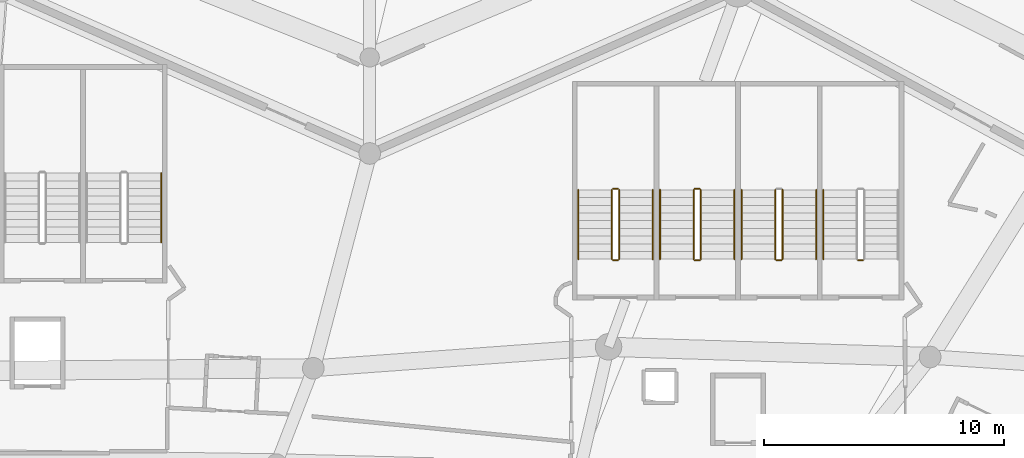
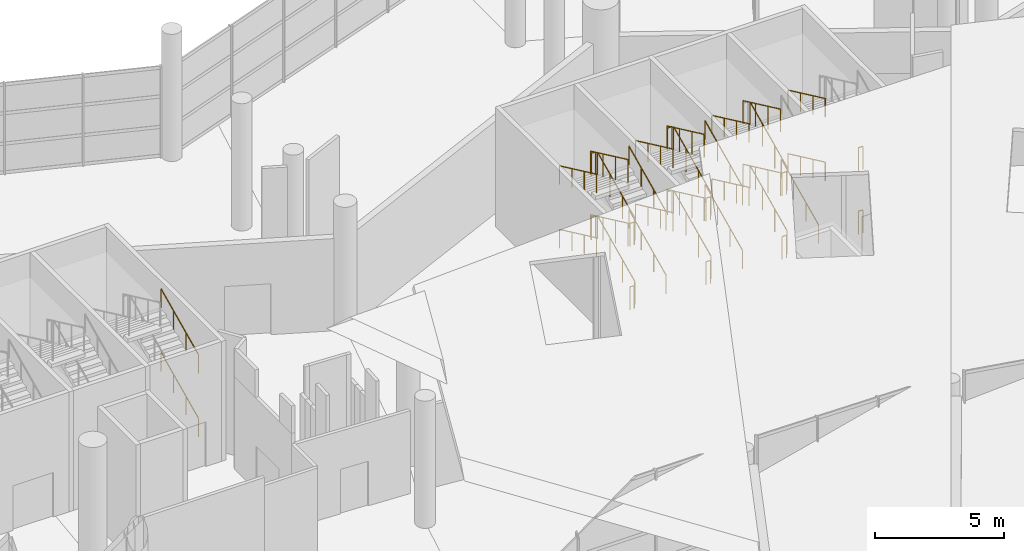
# One storey, part 245 of 249: 39 railings.
"""IFC4 building model written with IfcOpenShell, lengths in metres."""

from ifc_helpers import new_model, si_unit, direction, frame, origin, origin_2d, place, context, subcontext, project, spatial, circle, extrude, material, type_object, element, save


model = new_model("IFC4")

# Units and contexts
model_context = context("Model", 3, precision=1e-05, world=origin(), true_north=direction((0.0, 1.0)))
body_context = subcontext(model_context, "Body", "Model", "MODEL_VIEW")
ifc_project = project(units=[si_unit("LENGTHUNIT", "METRE"), si_unit("AREAUNIT", "SQUARE_METRE"), si_unit("VOLUMEUNIT", "CUBIC_METRE"), si_unit("PLANEANGLEUNIT", "RADIAN"), si_unit("MASSUNIT", "GRAM", prefix="KILO")], contexts=[model_context])

# Site, building, storey
site_placement = place(None, origin())
site = spatial("IfcSite", under=ifc_project, at=site_placement, CompositionType="ELEMENT")
building_placement = place(site_placement, origin())
building = spatial("IfcBuilding", under=site, at=building_placement, Name="Meseta Stadium", CompositionType="ELEMENT")
storey_placement = place(building_placement, frame((0.0, 0.0, 12.0)))
storey = spatial("IfcBuildingStorey", under=building, at=storey_placement, Name="L02", CompositionType="ELEMENT", Elevation=12.0)

# Railings
ifc_material_1 = material(Name="Steel S355", Category="steel")
railing_type_1 = type_object("IfcRailingType", Name="Stair guard 1100", PredefinedType="GUARDRAIL", material=ifc_material_1)
for number, where, name in (
    (1, (43.533447265625, 94.14990234375, 3.0), "ST33 L02 guard 4"),
    (2, (43.533447265625, 94.14990234375, 0.0), "ST33 L02 guard 8"),
):
    element("IfcRailing", number, at=place(storey_placement, frame(where)), inside=storey, type_object=railing_type_1, Name=name, PredefinedType="GUARDRAIL", context=body_context, shape_type="SweptSolid", body=[
        extrude(circle(Radius=0.02392578125, at=origin_2d()), frame((0.0, 0.0, 1.076171875), z_axis=(-1.0, 0.0, 0.0), x_axis=(0.0, -1.0, 0.0)), (0.0, 0.0, 1.0), 0.2001953125),
        extrude(circle(Radius=0.02099609375, at=origin_2d()), origin(), (0.0, 0.0, 1.0), 1.052001953125),
        extrude(circle(Radius=0.02099609375, at=origin_2d()), frame((-0.2001953125, 0.0, 0.0)), (0.0, 0.0, 1.0), 1.052001953125),
    ])
railing_1_placement = place(storey_placement, frame((40.183349609375, 94.199951171875, 0.14990234375)))
element("IfcRailing", 3, at=railing_1_placement, inside=storey, type_object=railing_type_1, Name="ST34 L02 guard 1", PredefinedType="GUARDRAIL", context=body_context, shape_type="SweptSolid", body=[
    extrude(circle(Radius=0.02392578125, at=origin_2d()), frame((0.0, 0.0, 1.076171875), z_axis=(0.0, 0.905454327043, 0.424443708447), x_axis=(-1.0, 0.0, 0.0)), (0.0, 0.0, 1.0), 3.180908203125),
    extrude(circle(Radius=0.02099609375, at=origin_2d()), origin(), (0.0, 0.0, 1.0), 1.052001953125),
    extrude(circle(Radius=0.02099609375, at=origin_2d()), frame((0.0, 0.9599609375, 0.449951171875)), (0.0, 0.0, 1.0), 1.052001953125),
    extrude(circle(Radius=0.02099609375, at=origin_2d()), frame((0.0, 1.920166015625, 0.900146484375)), (0.0, 0.0, 1.0), 1.052001953125),
    extrude(circle(Radius=0.02099609375, at=origin_2d()), frame((0.0, 2.880126953125, 1.35009765625)), (0.0, 0.0, 1.0), 1.052001953125),
])
railing_2_placement = place(storey_placement, frame((39.88330078125, 97.080078125, 1.64990234375)))
element("IfcRailing", 4, at=railing_2_placement, inside=storey, type_object=railing_type_1, Name="ST34 L02 guard 3", PredefinedType="GUARDRAIL", context=body_context, shape_type="SweptSolid", body=[
    extrude(circle(Radius=0.02392578125, at=origin_2d()), frame((0.0, 0.0, 1.076171875), z_axis=(0.0, -0.905454327043, 0.424443708447), x_axis=(1.0, 0.0, 0.0)), (0.0, 0.0, 1.0), 3.180908203125),
    extrude(circle(Radius=0.02099609375, at=origin_2d()), origin(), (0.0, 0.0, 1.0), 1.052001953125),
    extrude(circle(Radius=0.02099609375, at=origin_2d()), frame((0.0, -0.9599609375, 0.449951171875)), (0.0, 0.0, 1.0), 1.052001953125),
    extrude(circle(Radius=0.02099609375, at=origin_2d()), frame((0.0, -1.920166015625, 0.900146484375)), (0.0, 0.0, 1.0), 1.052001953125),
    extrude(circle(Radius=0.02099609375, at=origin_2d()), frame((0.0, -2.880126953125, 1.35009765625)), (0.0, 0.0, 1.0), 1.052001953125),
])
railing_3_placement = place(storey_placement, frame((40.13330078125, 94.14990234375, 3.0)))
element("IfcRailing", 5, at=railing_3_placement, inside=storey, type_object=railing_type_1, Name="ST34 L02 guard 4", PredefinedType="GUARDRAIL", context=body_context, shape_type="SweptSolid", body=[
    extrude(circle(Radius=0.02392578125, at=origin_2d()), frame((0.0, 0.0, 1.076171875), z_axis=(-1.0, 0.0, 0.0), x_axis=(0.0, -1.0, 0.0)), (0.0, 0.0, 1.0), 0.199951171875),
    extrude(circle(Radius=0.02099609375, at=origin_2d()), origin(), (0.0, 0.0, 1.0), 1.052001953125),
    extrude(circle(Radius=0.02099609375, at=origin_2d()), frame((-0.199951171875, 0.0, 0.0)), (0.0, 0.0, 1.0), 1.052001953125),
])
railing_4_placement = place(storey_placement, frame((40.183349609375, 94.199951171875, 3.14990234375)))
element("IfcRailing", 6, at=railing_4_placement, inside=storey, type_object=railing_type_1, Name="ST34 L02 guard 5", PredefinedType="GUARDRAIL", context=body_context, shape_type="SweptSolid", body=[
    extrude(circle(Radius=0.02392578125, at=origin_2d()), frame((0.0, 0.0, 1.076171875), z_axis=(0.0, 0.905454327043, 0.424443708447), x_axis=(-1.0, 0.0, 0.0)), (0.0, 0.0, 1.0), 3.180908203125),
    extrude(circle(Radius=0.02099609375, at=origin_2d()), origin(), (0.0, 0.0, 1.0), 1.052001953125),
    extrude(circle(Radius=0.02099609375, at=origin_2d()), frame((0.0, 0.9599609375, 0.449951171875)), (0.0, 0.0, 1.0), 1.052001953125),
    extrude(circle(Radius=0.02099609375, at=origin_2d()), frame((0.0, 1.920166015625, 0.900146484375)), (0.0, 0.0, 1.0), 1.052001953125),
    extrude(circle(Radius=0.02099609375, at=origin_2d()), frame((0.0, 2.880126953125, 1.35009765625)), (0.0, 0.0, 1.0), 1.052001953125),
])
railing_5_placement = place(storey_placement, frame((39.88330078125, 97.080078125, 4.64990234375)))
element("IfcRailing", 7, at=railing_5_placement, inside=storey, type_object=railing_type_1, Name="ST34 L02 guard 7", PredefinedType="GUARDRAIL", context=body_context, shape_type="SweptSolid", body=[
    extrude(circle(Radius=0.02392578125, at=origin_2d()), frame((0.0, 0.0, 1.076171875), z_axis=(0.0, -0.905454327043, 0.424443708447), x_axis=(1.0, 0.0, 0.0)), (0.0, 0.0, 1.0), 3.180908203125),
    extrude(circle(Radius=0.02099609375, at=origin_2d()), origin(), (0.0, 0.0, 1.0), 1.052001953125),
    extrude(circle(Radius=0.02099609375, at=origin_2d()), frame((0.0, -0.9599609375, 0.449951171875)), (0.0, 0.0, 1.0), 1.052001953125),
    extrude(circle(Radius=0.02099609375, at=origin_2d()), frame((0.0, -1.920166015625, 0.900146484375)), (0.0, 0.0, 1.0), 1.052001953125),
    extrude(circle(Radius=0.02099609375, at=origin_2d()), frame((0.0, -2.880126953125, 1.35009765625)), (0.0, 0.0, 1.0), 1.052001953125),
])
railing_6_placement = place(storey_placement, frame((40.13330078125, 94.14990234375, 0.0)))
element("IfcRailing", 8, at=railing_6_placement, inside=storey, type_object=railing_type_1, Name="ST34 L02 guard 8", PredefinedType="GUARDRAIL", context=body_context, shape_type="SweptSolid", body=[
    extrude(circle(Radius=0.02392578125, at=origin_2d()), frame((0.0, 0.0, 1.076171875), z_axis=(-1.0, 0.0, 0.0), x_axis=(0.0, -1.0, 0.0)), (0.0, 0.0, 1.0), 0.199951171875),
    extrude(circle(Radius=0.02099609375, at=origin_2d()), origin(), (0.0, 0.0, 1.0), 1.052001953125),
    extrude(circle(Radius=0.02099609375, at=origin_2d()), frame((-0.199951171875, 0.0, 0.0)), (0.0, 0.0, 1.0), 1.052001953125),
])
railing_7_placement = place(storey_placement, frame((36.783447265625, 94.199951171875, 0.14990234375)))
element("IfcRailing", 9, at=railing_7_placement, inside=storey, type_object=railing_type_1, Name="ST35 L02 guard 1", PredefinedType="GUARDRAIL", context=body_context, shape_type="SweptSolid", body=[
    extrude(circle(Radius=0.02392578125, at=origin_2d()), frame((0.0, 0.0, 1.076171875), z_axis=(0.0, 0.905454327043, 0.424443708447), x_axis=(-1.0, 0.0, 0.0)), (0.0, 0.0, 1.0), 3.180908203125),
    extrude(circle(Radius=0.02099609375, at=origin_2d()), origin(), (0.0, 0.0, 1.0), 1.052001953125),
    extrude(circle(Radius=0.02099609375, at=origin_2d()), frame((0.0, 0.9599609375, 0.449951171875)), (0.0, 0.0, 1.0), 1.052001953125),
    extrude(circle(Radius=0.02099609375, at=origin_2d()), frame((0.0, 1.920166015625, 0.900146484375)), (0.0, 0.0, 1.0), 1.052001953125),
    extrude(circle(Radius=0.02099609375, at=origin_2d()), frame((0.0, 2.880126953125, 1.35009765625)), (0.0, 0.0, 1.0), 1.052001953125),
])
railing_8_placement = place(storey_placement, frame((36.7333984375, 97.1298828125, 1.5)))
element("IfcRailing", 10, at=railing_8_placement, inside=storey, type_object=railing_type_1, Name="ST35 L02 guard 2", PredefinedType="GUARDRAIL", context=body_context, shape_type="SweptSolid", body=[
    extrude(circle(Radius=0.02392578125, at=origin_2d()), frame((0.0, 0.0, 1.076171875), z_axis=(-1.0, 0.0, 0.0), x_axis=(0.0, -1.0, 0.0)), (0.0, 0.0, 1.0), 0.199951171875),
    extrude(circle(Radius=0.02099609375, at=origin_2d()), origin(), (0.0, 0.0, 1.0), 1.052001953125),
    extrude(circle(Radius=0.02099609375, at=origin_2d()), frame((-0.199951171875, 0.0, 0.0)), (0.0, 0.0, 1.0), 1.052001953125),
])
railing_9_placement = place(storey_placement, frame((36.4833984375, 97.080078125, 1.64990234375)))
element("IfcRailing", 11, at=railing_9_placement, inside=storey, type_object=railing_type_1, Name="ST35 L02 guard 3", PredefinedType="GUARDRAIL", context=body_context, shape_type="SweptSolid", body=[
    extrude(circle(Radius=0.02392578125, at=origin_2d()), frame((0.0, 0.0, 1.076171875), z_axis=(0.0, -0.905454327043, 0.424443708447), x_axis=(1.0, 0.0, 0.0)), (0.0, 0.0, 1.0), 3.180908203125),
    extrude(circle(Radius=0.02099609375, at=origin_2d()), origin(), (0.0, 0.0, 1.0), 1.052001953125),
    extrude(circle(Radius=0.02099609375, at=origin_2d()), frame((0.0, -0.9599609375, 0.449951171875)), (0.0, 0.0, 1.0), 1.052001953125),
    extrude(circle(Radius=0.02099609375, at=origin_2d()), frame((0.0, -1.920166015625, 0.900146484375)), (0.0, 0.0, 1.0), 1.052001953125),
    extrude(circle(Radius=0.02099609375, at=origin_2d()), frame((0.0, -2.880126953125, 1.35009765625)), (0.0, 0.0, 1.0), 1.052001953125),
])
railing_10_placement = place(storey_placement, frame((36.7333984375, 94.14990234375, 3.0)))
element("IfcRailing", 12, at=railing_10_placement, inside=storey, type_object=railing_type_1, Name="ST35 L02 guard 4", PredefinedType="GUARDRAIL", context=body_context, shape_type="SweptSolid", body=[
    extrude(circle(Radius=0.02392578125, at=origin_2d()), frame((0.0, 0.0, 1.076171875), z_axis=(-1.0, 0.0, 0.0), x_axis=(0.0, -1.0, 0.0)), (0.0, 0.0, 1.0), 0.199951171875),
    extrude(circle(Radius=0.02099609375, at=origin_2d()), origin(), (0.0, 0.0, 1.0), 1.052001953125),
    extrude(circle(Radius=0.02099609375, at=origin_2d()), frame((-0.199951171875, 0.0, 0.0)), (0.0, 0.0, 1.0), 1.052001953125),
])
railing_11_placement = place(storey_placement, frame((36.783447265625, 94.199951171875, 3.14990234375)))
element("IfcRailing", 13, at=railing_11_placement, inside=storey, type_object=railing_type_1, Name="ST35 L02 guard 5", PredefinedType="GUARDRAIL", context=body_context, shape_type="SweptSolid", body=[
    extrude(circle(Radius=0.02392578125, at=origin_2d()), frame((0.0, 0.0, 1.076171875), z_axis=(0.0, 0.905454327043, 0.424443708447), x_axis=(-1.0, 0.0, 0.0)), (0.0, 0.0, 1.0), 3.180908203125),
    extrude(circle(Radius=0.02099609375, at=origin_2d()), origin(), (0.0, 0.0, 1.0), 1.052001953125),
    extrude(circle(Radius=0.02099609375, at=origin_2d()), frame((0.0, 0.9599609375, 0.449951171875)), (0.0, 0.0, 1.0), 1.052001953125),
    extrude(circle(Radius=0.02099609375, at=origin_2d()), frame((0.0, 1.920166015625, 0.900146484375)), (0.0, 0.0, 1.0), 1.052001953125),
    extrude(circle(Radius=0.02099609375, at=origin_2d()), frame((0.0, 2.880126953125, 1.35009765625)), (0.0, 0.0, 1.0), 1.052001953125),
])
railing_12_placement = place(storey_placement, frame((36.7333984375, 97.1298828125, 4.5)))
element("IfcRailing", 14, at=railing_12_placement, inside=storey, type_object=railing_type_1, Name="ST35 L02 guard 6", PredefinedType="GUARDRAIL", context=body_context, shape_type="SweptSolid", body=[
    extrude(circle(Radius=0.02392578125, at=origin_2d()), frame((0.0, 0.0, 1.076171875), z_axis=(-1.0, 0.0, 0.0), x_axis=(0.0, -1.0, 0.0)), (0.0, 0.0, 1.0), 0.199951171875),
    extrude(circle(Radius=0.02099609375, at=origin_2d()), origin(), (0.0, 0.0, 1.0), 1.052001953125),
    extrude(circle(Radius=0.02099609375, at=origin_2d()), frame((-0.199951171875, 0.0, 0.0)), (0.0, 0.0, 1.0), 1.052001953125),
])
railing_13_placement = place(storey_placement, frame((36.4833984375, 97.080078125, 4.64990234375)))
element("IfcRailing", 15, at=railing_13_placement, inside=storey, type_object=railing_type_1, Name="ST35 L02 guard 7", PredefinedType="GUARDRAIL", context=body_context, shape_type="SweptSolid", body=[
    extrude(circle(Radius=0.02392578125, at=origin_2d()), frame((0.0, 0.0, 1.076171875), z_axis=(0.0, -0.905454327043, 0.424443708447), x_axis=(1.0, 0.0, 0.0)), (0.0, 0.0, 1.0), 3.180908203125),
    extrude(circle(Radius=0.02099609375, at=origin_2d()), origin(), (0.0, 0.0, 1.0), 1.052001953125),
    extrude(circle(Radius=0.02099609375, at=origin_2d()), frame((0.0, -0.9599609375, 0.449951171875)), (0.0, 0.0, 1.0), 1.052001953125),
    extrude(circle(Radius=0.02099609375, at=origin_2d()), frame((0.0, -1.920166015625, 0.900146484375)), (0.0, 0.0, 1.0), 1.052001953125),
    extrude(circle(Radius=0.02099609375, at=origin_2d()), frame((0.0, -2.880126953125, 1.35009765625)), (0.0, 0.0, 1.0), 1.052001953125),
])
railing_14_placement = place(storey_placement, frame((36.7333984375, 94.14990234375, 0.0)))
element("IfcRailing", 16, at=railing_14_placement, inside=storey, type_object=railing_type_1, Name="ST35 L02 guard 8", PredefinedType="GUARDRAIL", context=body_context, shape_type="SweptSolid", body=[
    extrude(circle(Radius=0.02392578125, at=origin_2d()), frame((0.0, 0.0, 1.076171875), z_axis=(-1.0, 0.0, 0.0), x_axis=(0.0, -1.0, 0.0)), (0.0, 0.0, 1.0), 0.199951171875),
    extrude(circle(Radius=0.02099609375, at=origin_2d()), origin(), (0.0, 0.0, 1.0), 1.052001953125),
    extrude(circle(Radius=0.02099609375, at=origin_2d()), frame((-0.199951171875, 0.0, 0.0)), (0.0, 0.0, 1.0), 1.052001953125),
])
railing_15_placement = place(storey_placement, frame((33.38330078125, 94.199951171875, 0.14990234375)))
element("IfcRailing", 17, at=railing_15_placement, inside=storey, type_object=railing_type_1, Name="ST36 L02 guard 1", PredefinedType="GUARDRAIL", context=body_context, shape_type="SweptSolid", body=[
    extrude(circle(Radius=0.02392578125, at=origin_2d()), frame((0.0, 0.0, 1.076171875), z_axis=(0.0, 0.905454327043, 0.424443708447), x_axis=(-1.0, 0.0, 0.0)), (0.0, 0.0, 1.0), 3.180908203125),
    extrude(circle(Radius=0.02099609375, at=origin_2d()), origin(), (0.0, 0.0, 1.0), 1.052001953125),
    extrude(circle(Radius=0.02099609375, at=origin_2d()), frame((0.0, 0.9599609375, 0.449951171875)), (0.0, 0.0, 1.0), 1.052001953125),
    extrude(circle(Radius=0.02099609375, at=origin_2d()), frame((0.0, 1.920166015625, 0.900146484375)), (0.0, 0.0, 1.0), 1.052001953125),
    extrude(circle(Radius=0.02099609375, at=origin_2d()), frame((0.0, 2.880126953125, 1.35009765625)), (0.0, 0.0, 1.0), 1.052001953125),
])
railing_16_placement = place(storey_placement, frame((33.333251953125, 97.1298828125, 1.5)))
element("IfcRailing", 18, at=railing_16_placement, inside=storey, type_object=railing_type_1, Name="ST36 L02 guard 2", PredefinedType="GUARDRAIL", context=body_context, shape_type="SweptSolid", body=[
    extrude(circle(Radius=0.02392578125, at=origin_2d()), frame((0.0, 0.0, 1.076171875), z_axis=(-1.0, 0.0, 0.0), x_axis=(0.0, -1.0, 0.0)), (0.0, 0.0, 1.0), 0.199951171875),
    extrude(circle(Radius=0.02099609375, at=origin_2d()), origin(), (0.0, 0.0, 1.0), 1.052001953125),
    extrude(circle(Radius=0.02099609375, at=origin_2d()), frame((-0.199951171875, 0.0, 0.0)), (0.0, 0.0, 1.0), 1.052001953125),
])
railing_17_placement = place(storey_placement, frame((33.083251953125, 97.080078125, 1.64990234375)))
element("IfcRailing", 19, at=railing_17_placement, inside=storey, type_object=railing_type_1, Name="ST36 L02 guard 3", PredefinedType="GUARDRAIL", context=body_context, shape_type="SweptSolid", body=[
    extrude(circle(Radius=0.02392578125, at=origin_2d()), frame((0.0, 0.0, 1.076171875), z_axis=(0.0, -0.905454327043, 0.424443708447), x_axis=(1.0, 0.0, 0.0)), (0.0, 0.0, 1.0), 3.180908203125),
    extrude(circle(Radius=0.02099609375, at=origin_2d()), origin(), (0.0, 0.0, 1.0), 1.052001953125),
    extrude(circle(Radius=0.02099609375, at=origin_2d()), frame((0.0, -0.9599609375, 0.449951171875)), (0.0, 0.0, 1.0), 1.052001953125),
    extrude(circle(Radius=0.02099609375, at=origin_2d()), frame((0.0, -1.920166015625, 0.900146484375)), (0.0, 0.0, 1.0), 1.052001953125),
    extrude(circle(Radius=0.02099609375, at=origin_2d()), frame((0.0, -2.880126953125, 1.35009765625)), (0.0, 0.0, 1.0), 1.052001953125),
])
railing_18_placement = place(storey_placement, frame((33.333251953125, 94.14990234375, 3.0)))
element("IfcRailing", 20, at=railing_18_placement, inside=storey, type_object=railing_type_1, Name="ST36 L02 guard 4", PredefinedType="GUARDRAIL", context=body_context, shape_type="SweptSolid", body=[
    extrude(circle(Radius=0.02392578125, at=origin_2d()), frame((0.0, 0.0, 1.076171875), z_axis=(-1.0, 0.0, 0.0), x_axis=(0.0, -1.0, 0.0)), (0.0, 0.0, 1.0), 0.199951171875),
    extrude(circle(Radius=0.02099609375, at=origin_2d()), origin(), (0.0, 0.0, 1.0), 1.052001953125),
    extrude(circle(Radius=0.02099609375, at=origin_2d()), frame((-0.199951171875, 0.0, 0.0)), (0.0, 0.0, 1.0), 1.052001953125),
])
railing_19_placement = place(storey_placement, frame((33.38330078125, 94.199951171875, 3.14990234375)))
element("IfcRailing", 21, at=railing_19_placement, inside=storey, type_object=railing_type_1, Name="ST36 L02 guard 5", PredefinedType="GUARDRAIL", context=body_context, shape_type="SweptSolid", body=[
    extrude(circle(Radius=0.02392578125, at=origin_2d()), frame((0.0, 0.0, 1.076171875), z_axis=(0.0, 0.905454327043, 0.424443708447), x_axis=(-1.0, 0.0, 0.0)), (0.0, 0.0, 1.0), 3.180908203125),
    extrude(circle(Radius=0.02099609375, at=origin_2d()), origin(), (0.0, 0.0, 1.0), 1.052001953125),
    extrude(circle(Radius=0.02099609375, at=origin_2d()), frame((0.0, 0.9599609375, 0.449951171875)), (0.0, 0.0, 1.0), 1.052001953125),
    extrude(circle(Radius=0.02099609375, at=origin_2d()), frame((0.0, 1.920166015625, 0.900146484375)), (0.0, 0.0, 1.0), 1.052001953125),
    extrude(circle(Radius=0.02099609375, at=origin_2d()), frame((0.0, 2.880126953125, 1.35009765625)), (0.0, 0.0, 1.0), 1.052001953125),
])
railing_20_placement = place(storey_placement, frame((33.333251953125, 97.1298828125, 4.5)))
element("IfcRailing", 22, at=railing_20_placement, inside=storey, type_object=railing_type_1, Name="ST36 L02 guard 6", PredefinedType="GUARDRAIL", context=body_context, shape_type="SweptSolid", body=[
    extrude(circle(Radius=0.02392578125, at=origin_2d()), frame((0.0, 0.0, 1.076171875), z_axis=(-1.0, 0.0, 0.0), x_axis=(0.0, -1.0, 0.0)), (0.0, 0.0, 1.0), 0.199951171875),
    extrude(circle(Radius=0.02099609375, at=origin_2d()), origin(), (0.0, 0.0, 1.0), 1.052001953125),
    extrude(circle(Radius=0.02099609375, at=origin_2d()), frame((-0.199951171875, 0.0, 0.0)), (0.0, 0.0, 1.0), 1.052001953125),
])
railing_21_placement = place(storey_placement, frame((33.083251953125, 97.080078125, 4.64990234375)))
element("IfcRailing", 23, at=railing_21_placement, inside=storey, type_object=railing_type_1, Name="ST36 L02 guard 7", PredefinedType="GUARDRAIL", context=body_context, shape_type="SweptSolid", body=[
    extrude(circle(Radius=0.02392578125, at=origin_2d()), frame((0.0, 0.0, 1.076171875), z_axis=(0.0, -0.905454327043, 0.424443708447), x_axis=(1.0, 0.0, 0.0)), (0.0, 0.0, 1.0), 3.180908203125),
    extrude(circle(Radius=0.02099609375, at=origin_2d()), origin(), (0.0, 0.0, 1.0), 1.052001953125),
    extrude(circle(Radius=0.02099609375, at=origin_2d()), frame((0.0, -0.9599609375, 0.449951171875)), (0.0, 0.0, 1.0), 1.052001953125),
    extrude(circle(Radius=0.02099609375, at=origin_2d()), frame((0.0, -1.920166015625, 0.900146484375)), (0.0, 0.0, 1.0), 1.052001953125),
    extrude(circle(Radius=0.02099609375, at=origin_2d()), frame((0.0, -2.880126953125, 1.35009765625)), (0.0, 0.0, 1.0), 1.052001953125),
])
railing_22_placement = place(storey_placement, frame((33.333251953125, 94.14990234375, 0.0)))
element("IfcRailing", 24, at=railing_22_placement, inside=storey, type_object=railing_type_1, Name="ST36 L02 guard 8", PredefinedType="GUARDRAIL", context=body_context, shape_type="SweptSolid", body=[
    extrude(circle(Radius=0.02392578125, at=origin_2d()), frame((0.0, 0.0, 1.076171875), z_axis=(-1.0, 0.0, 0.0), x_axis=(0.0, -1.0, 0.0)), (0.0, 0.0, 1.0), 0.199951171875),
    extrude(circle(Radius=0.02099609375, at=origin_2d()), origin(), (0.0, 0.0, 1.0), 1.052001953125),
    extrude(circle(Radius=0.02099609375, at=origin_2d()), frame((-0.199951171875, 0.0, 0.0)), (0.0, 0.0, 1.0), 1.052001953125),
])
ifc_material_2 = material(Name="Steel S355", Category="steel")
railing_type_2 = type_object("IfcRailingType", Name="Stair handrail 900", PredefinedType="HANDRAIL", material=ifc_material_2)
for number, where, name in (
    (25, (41.88330078125, 97.080078125, 1.64990234375), "ST33 L02 handrail 2"),
    (26, (41.88330078125, 97.080078125, 4.64990234375), "ST33 L02 handrail 4"),
):
    element("IfcRailing", number, at=place(storey_placement, frame(where)), inside=storey, type_object=railing_type_2, Name=name, PredefinedType="HANDRAIL", context=body_context, shape_type="SweptSolid", body=[
        extrude(circle(Radius=0.02392578125, at=origin_2d()), frame((0.0, 0.0, 0.8759765625), z_axis=(0.0, -0.905454327043, 0.424443708447), x_axis=(1.0, 0.0, 0.0)), (0.0, 0.0, 1.0), 3.180908203125),
        extrude(circle(Radius=0.02099609375, at=origin_2d()), origin(), (0.0, 0.0, 1.0), 0.851806640625),
        extrude(circle(Radius=0.02099609375, at=origin_2d()), frame((0.0, -0.9599609375, 0.449951171875)), (0.0, 0.0, 1.0), 0.851806640625),
        extrude(circle(Radius=0.02099609375, at=origin_2d()), frame((0.0, -1.920166015625, 0.900146484375)), (0.0, 0.0, 1.0), 0.851806640625),
        extrude(circle(Radius=0.02099609375, at=origin_2d()), frame((0.0, -2.880126953125, 1.35009765625)), (0.0, 0.0, 1.0), 0.851806640625),
    ])
railing_23_placement = place(storey_placement, frame((41.583251953125, 94.199951171875, 0.14990234375)))
element("IfcRailing", 27, at=railing_23_placement, inside=storey, type_object=railing_type_2, Name="ST34 L02 handrail 1", PredefinedType="HANDRAIL", context=body_context, shape_type="SweptSolid", body=[
    extrude(circle(Radius=0.02392578125, at=origin_2d()), frame((0.0, 0.0, 0.8759765625), z_axis=(0.0, 0.905454327043, 0.424443708447), x_axis=(-1.0, 0.0, 0.0)), (0.0, 0.0, 1.0), 3.180908203125),
    extrude(circle(Radius=0.02099609375, at=origin_2d()), origin(), (0.0, 0.0, 1.0), 0.851806640625),
    extrude(circle(Radius=0.02099609375, at=origin_2d()), frame((0.0, 0.9599609375, 0.449951171875)), (0.0, 0.0, 1.0), 0.851806640625),
    extrude(circle(Radius=0.02099609375, at=origin_2d()), frame((0.0, 1.920166015625, 0.900146484375)), (0.0, 0.0, 1.0), 0.851806640625),
    extrude(circle(Radius=0.02099609375, at=origin_2d()), frame((0.0, 2.880126953125, 1.35009765625)), (0.0, 0.0, 1.0), 0.851806640625),
])
for number, where, name in (
    (28, (38.4833984375, 97.080078125, 1.64990234375), "ST34 L02 handrail 2"),
    (29, (38.4833984375, 97.080078125, 4.64990234375), "ST34 L02 handrail 4"),
):
    element("IfcRailing", number, at=place(storey_placement, frame(where)), inside=storey, type_object=railing_type_2, Name=name, PredefinedType="HANDRAIL", context=body_context, shape_type="SweptSolid", body=[
        extrude(circle(Radius=0.02392578125, at=origin_2d()), frame((0.0, 0.0, 0.8759765625), z_axis=(0.0, -0.905454327043, 0.424443708447), x_axis=(1.0, 0.0, 0.0)), (0.0, 0.0, 1.0), 3.180908203125),
        extrude(circle(Radius=0.02099609375, at=origin_2d()), origin(), (0.0, 0.0, 1.0), 0.851806640625),
        extrude(circle(Radius=0.02099609375, at=origin_2d()), frame((0.0, -0.9599609375, 0.449951171875)), (0.0, 0.0, 1.0), 0.851806640625),
        extrude(circle(Radius=0.02099609375, at=origin_2d()), frame((0.0, -1.920166015625, 0.900146484375)), (0.0, 0.0, 1.0), 0.851806640625),
        extrude(circle(Radius=0.02099609375, at=origin_2d()), frame((0.0, -2.880126953125, 1.35009765625)), (0.0, 0.0, 1.0), 0.851806640625),
    ])
railing_24_placement = place(storey_placement, frame((38.183349609375, 94.199951171875, 0.14990234375)))
element("IfcRailing", 30, at=railing_24_placement, inside=storey, type_object=railing_type_2, Name="ST35 L02 handrail 1", PredefinedType="HANDRAIL", context=body_context, shape_type="SweptSolid", body=[
    extrude(circle(Radius=0.02392578125, at=origin_2d()), frame((0.0, 0.0, 0.8759765625), z_axis=(0.0, 0.905454327043, 0.424443708447), x_axis=(-1.0, 0.0, 0.0)), (0.0, 0.0, 1.0), 3.180908203125),
    extrude(circle(Radius=0.02099609375, at=origin_2d()), origin(), (0.0, 0.0, 1.0), 0.851806640625),
    extrude(circle(Radius=0.02099609375, at=origin_2d()), frame((0.0, 0.9599609375, 0.449951171875)), (0.0, 0.0, 1.0), 0.851806640625),
    extrude(circle(Radius=0.02099609375, at=origin_2d()), frame((0.0, 1.920166015625, 0.900146484375)), (0.0, 0.0, 1.0), 0.851806640625),
    extrude(circle(Radius=0.02099609375, at=origin_2d()), frame((0.0, 2.880126953125, 1.35009765625)), (0.0, 0.0, 1.0), 0.851806640625),
])
railing_25_placement = place(storey_placement, frame((35.083251953125, 97.080078125, 1.64990234375)))
element("IfcRailing", 31, at=railing_25_placement, inside=storey, type_object=railing_type_2, Name="ST35 L02 handrail 2", PredefinedType="HANDRAIL", context=body_context, shape_type="SweptSolid", body=[
    extrude(circle(Radius=0.02392578125, at=origin_2d()), frame((0.0, 0.0, 0.8759765625), z_axis=(0.0, -0.905454327043, 0.424443708447), x_axis=(1.0, 0.0, 0.0)), (0.0, 0.0, 1.0), 3.180908203125),
    extrude(circle(Radius=0.02099609375, at=origin_2d()), origin(), (0.0, 0.0, 1.0), 0.851806640625),
    extrude(circle(Radius=0.02099609375, at=origin_2d()), frame((0.0, -0.9599609375, 0.449951171875)), (0.0, 0.0, 1.0), 0.851806640625),
    extrude(circle(Radius=0.02099609375, at=origin_2d()), frame((0.0, -1.920166015625, 0.900146484375)), (0.0, 0.0, 1.0), 0.851806640625),
    extrude(circle(Radius=0.02099609375, at=origin_2d()), frame((0.0, -2.880126953125, 1.35009765625)), (0.0, 0.0, 1.0), 0.851806640625),
])
railing_26_placement = place(storey_placement, frame((38.183349609375, 94.199951171875, 3.14990234375)))
element("IfcRailing", 32, at=railing_26_placement, inside=storey, type_object=railing_type_2, Name="ST35 L02 handrail 3", PredefinedType="HANDRAIL", context=body_context, shape_type="SweptSolid", body=[
    extrude(circle(Radius=0.02392578125, at=origin_2d()), frame((0.0, 0.0, 0.8759765625), z_axis=(0.0, 0.905454327043, 0.424443708447), x_axis=(-1.0, 0.0, 0.0)), (0.0, 0.0, 1.0), 3.180908203125),
    extrude(circle(Radius=0.02099609375, at=origin_2d()), origin(), (0.0, 0.0, 1.0), 0.851806640625),
    extrude(circle(Radius=0.02099609375, at=origin_2d()), frame((0.0, 0.9599609375, 0.449951171875)), (0.0, 0.0, 1.0), 0.851806640625),
    extrude(circle(Radius=0.02099609375, at=origin_2d()), frame((0.0, 1.920166015625, 0.900146484375)), (0.0, 0.0, 1.0), 0.851806640625),
    extrude(circle(Radius=0.02099609375, at=origin_2d()), frame((0.0, 2.880126953125, 1.35009765625)), (0.0, 0.0, 1.0), 0.851806640625),
])
railing_27_placement = place(storey_placement, frame((35.083251953125, 97.080078125, 4.64990234375)))
element("IfcRailing", 33, at=railing_27_placement, inside=storey, type_object=railing_type_2, Name="ST35 L02 handrail 4", PredefinedType="HANDRAIL", context=body_context, shape_type="SweptSolid", body=[
    extrude(circle(Radius=0.02392578125, at=origin_2d()), frame((0.0, 0.0, 0.8759765625), z_axis=(0.0, -0.905454327043, 0.424443708447), x_axis=(1.0, 0.0, 0.0)), (0.0, 0.0, 1.0), 3.180908203125),
    extrude(circle(Radius=0.02099609375, at=origin_2d()), origin(), (0.0, 0.0, 1.0), 0.851806640625),
    extrude(circle(Radius=0.02099609375, at=origin_2d()), frame((0.0, -0.9599609375, 0.449951171875)), (0.0, 0.0, 1.0), 0.851806640625),
    extrude(circle(Radius=0.02099609375, at=origin_2d()), frame((0.0, -1.920166015625, 0.900146484375)), (0.0, 0.0, 1.0), 0.851806640625),
    extrude(circle(Radius=0.02099609375, at=origin_2d()), frame((0.0, -2.880126953125, 1.35009765625)), (0.0, 0.0, 1.0), 0.851806640625),
])
railing_28_placement = place(storey_placement, frame((34.783447265625, 94.199951171875, 0.14990234375)))
element("IfcRailing", 34, at=railing_28_placement, inside=storey, type_object=railing_type_2, Name="ST36 L02 handrail 1", PredefinedType="HANDRAIL", context=body_context, shape_type="SweptSolid", body=[
    extrude(circle(Radius=0.02392578125, at=origin_2d()), frame((0.0, 0.0, 0.8759765625), z_axis=(0.0, 0.905454327043, 0.424443708447), x_axis=(-1.0, 0.0, 0.0)), (0.0, 0.0, 1.0), 3.180908203125),
    extrude(circle(Radius=0.02099609375, at=origin_2d()), origin(), (0.0, 0.0, 1.0), 0.851806640625),
    extrude(circle(Radius=0.02099609375, at=origin_2d()), frame((0.0, 0.9599609375, 0.449951171875)), (0.0, 0.0, 1.0), 0.851806640625),
    extrude(circle(Radius=0.02099609375, at=origin_2d()), frame((0.0, 1.920166015625, 0.900146484375)), (0.0, 0.0, 1.0), 0.851806640625),
    extrude(circle(Radius=0.02099609375, at=origin_2d()), frame((0.0, 2.880126953125, 1.35009765625)), (0.0, 0.0, 1.0), 0.851806640625),
])
railing_29_placement = place(storey_placement, frame((31.683349609375, 97.080078125, 1.64990234375)))
element("IfcRailing", 35, at=railing_29_placement, inside=storey, type_object=railing_type_2, Name="ST36 L02 handrail 2", PredefinedType="HANDRAIL", context=body_context, shape_type="SweptSolid", body=[
    extrude(circle(Radius=0.02392578125, at=origin_2d()), frame((0.0, 0.0, 0.8759765625), z_axis=(0.0, -0.905454327043, 0.424443708447), x_axis=(1.0, 0.0, 0.0)), (0.0, 0.0, 1.0), 3.180908203125),
    extrude(circle(Radius=0.02099609375, at=origin_2d()), origin(), (0.0, 0.0, 1.0), 0.851806640625),
    extrude(circle(Radius=0.02099609375, at=origin_2d()), frame((0.0, -0.9599609375, 0.449951171875)), (0.0, 0.0, 1.0), 0.851806640625),
    extrude(circle(Radius=0.02099609375, at=origin_2d()), frame((0.0, -1.920166015625, 0.900146484375)), (0.0, 0.0, 1.0), 0.851806640625),
    extrude(circle(Radius=0.02099609375, at=origin_2d()), frame((0.0, -2.880126953125, 1.35009765625)), (0.0, 0.0, 1.0), 0.851806640625),
])
railing_30_placement = place(storey_placement, frame((34.783447265625, 94.199951171875, 3.14990234375)))
element("IfcRailing", 36, at=railing_30_placement, inside=storey, type_object=railing_type_2, Name="ST36 L02 handrail 3", PredefinedType="HANDRAIL", context=body_context, shape_type="SweptSolid", body=[
    extrude(circle(Radius=0.02392578125, at=origin_2d()), frame((0.0, 0.0, 0.8759765625), z_axis=(0.0, 0.905454327043, 0.424443708447), x_axis=(-1.0, 0.0, 0.0)), (0.0, 0.0, 1.0), 3.180908203125),
    extrude(circle(Radius=0.02099609375, at=origin_2d()), origin(), (0.0, 0.0, 1.0), 0.851806640625),
    extrude(circle(Radius=0.02099609375, at=origin_2d()), frame((0.0, 0.9599609375, 0.449951171875)), (0.0, 0.0, 1.0), 0.851806640625),
    extrude(circle(Radius=0.02099609375, at=origin_2d()), frame((0.0, 1.920166015625, 0.900146484375)), (0.0, 0.0, 1.0), 0.851806640625),
    extrude(circle(Radius=0.02099609375, at=origin_2d()), frame((0.0, 2.880126953125, 1.35009765625)), (0.0, 0.0, 1.0), 0.851806640625),
])
railing_31_placement = place(storey_placement, frame((31.683349609375, 97.080078125, 4.64990234375)))
element("IfcRailing", 37, at=railing_31_placement, inside=storey, type_object=railing_type_2, Name="ST36 L02 handrail 4", PredefinedType="HANDRAIL", context=body_context, shape_type="SweptSolid", body=[
    extrude(circle(Radius=0.02392578125, at=origin_2d()), frame((0.0, 0.0, 0.8759765625), z_axis=(0.0, -0.905454327043, 0.424443708447), x_axis=(1.0, 0.0, 0.0)), (0.0, 0.0, 1.0), 3.180908203125),
    extrude(circle(Radius=0.02099609375, at=origin_2d()), origin(), (0.0, 0.0, 1.0), 0.851806640625),
    extrude(circle(Radius=0.02099609375, at=origin_2d()), frame((0.0, -0.9599609375, 0.449951171875)), (0.0, 0.0, 1.0), 0.851806640625),
    extrude(circle(Radius=0.02099609375, at=origin_2d()), frame((0.0, -1.920166015625, 0.900146484375)), (0.0, 0.0, 1.0), 0.851806640625),
    extrude(circle(Radius=0.02099609375, at=origin_2d()), frame((0.0, -2.880126953125, 1.35009765625)), (0.0, 0.0, 1.0), 0.851806640625),
])
for number, where, name in (
    (38, (14.316650390625, 94.89990234375, 0.14990234375), "ST37 L02 handrail 1"),
    (39, (14.316650390625, 94.89990234375, 3.14990234375), "ST37 L02 handrail 3"),
):
    element("IfcRailing", number, at=place(storey_placement, frame(where)), inside=storey, type_object=railing_type_2, Name=name, PredefinedType="HANDRAIL", context=body_context, shape_type="SweptSolid", body=[
        extrude(circle(Radius=0.02392578125, at=origin_2d()), frame((0.0, 0.0, 0.8759765625), z_axis=(0.0, 0.905454327043, 0.424443708447), x_axis=(-1.0, 0.0, 0.0)), (0.0, 0.0, 1.0), 3.180908203125),
        extrude(circle(Radius=0.02099609375, at=origin_2d()), origin(), (0.0, 0.0, 1.0), 0.851806640625),
        extrude(circle(Radius=0.02099609375, at=origin_2d()), frame((0.0, 0.9599609375, 0.449951171875)), (0.0, 0.0, 1.0), 0.851806640625),
        extrude(circle(Radius=0.02099609375, at=origin_2d()), frame((0.0, 1.920166015625, 0.900146484375)), (0.0, 0.0, 1.0), 0.851806640625),
        extrude(circle(Radius=0.02099609375, at=origin_2d()), frame((0.0, 2.880126953125, 1.35009765625)), (0.0, 0.0, 1.0), 0.851806640625),
    ])

save(model, "model.ifc")
